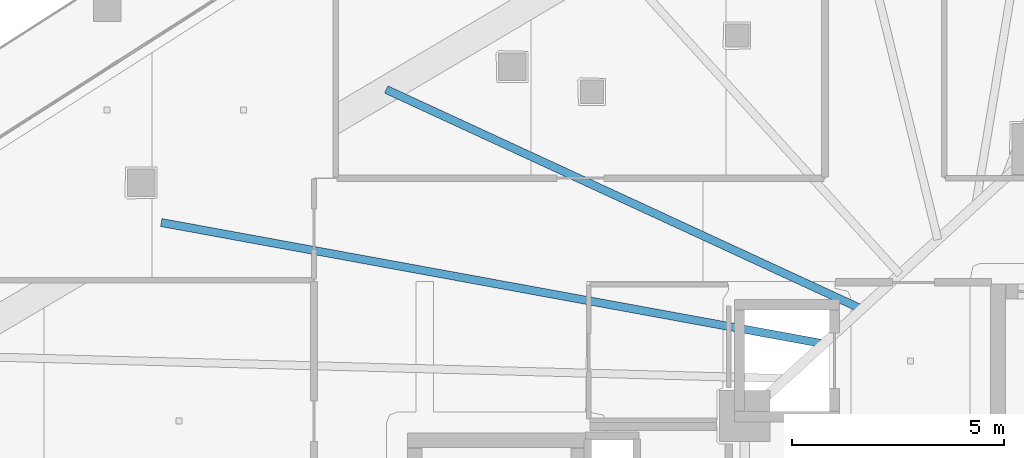
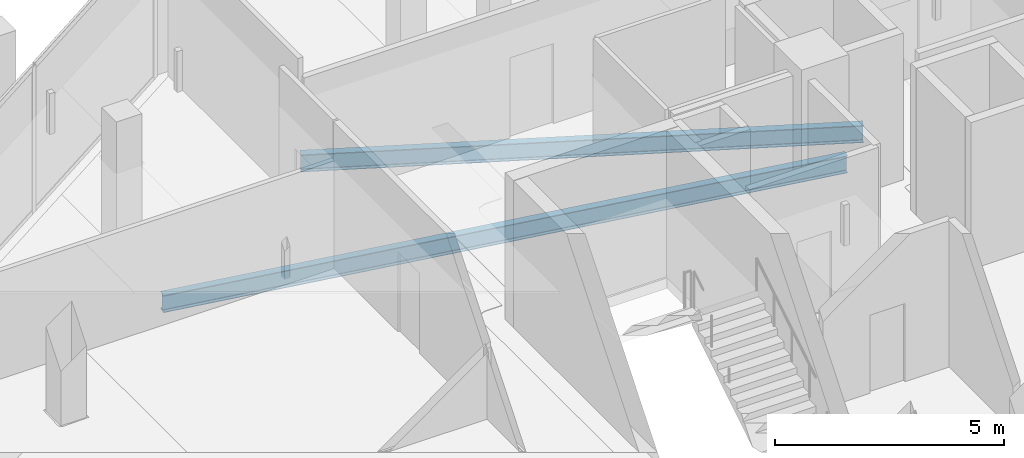
# One storey, part 15 of 44: 2 beams.
"""IFC4 building model written with IfcOpenShell, lengths in metres."""

from ifc_helpers import new_model, si_unit, direction, frame, origin, origin_2d, place, context, subcontext, project, spatial, i_section, extrude, material, material_profile, profile_set, type_object, element, save


model = new_model("IFC4")

# Units and contexts
model_context = context("Model", 3, precision=1e-05, world=origin(), true_north=direction((0.0, 1.0)))
body_context = subcontext(model_context, "Body", "Model", "MODEL_VIEW")
ifc_project = project(units=[si_unit("LENGTHUNIT", "METRE"), si_unit("AREAUNIT", "SQUARE_METRE"), si_unit("VOLUMEUNIT", "CUBIC_METRE"), si_unit("PLANEANGLEUNIT", "RADIAN"), si_unit("MASSUNIT", "GRAM", prefix="KILO")], contexts=[model_context])

# Site, building, storey
site_placement = place(None, origin())
site = spatial("IfcSite", under=ifc_project, at=site_placement, CompositionType="ELEMENT")
building_placement = place(site_placement, origin())
building = spatial("IfcBuilding", under=site, at=building_placement, Name="Qorvath Tower", CompositionType="ELEMENT")
storey_placement = place(building_placement, frame((0.0, 0.0, 57.60009765625)))
storey = spatial("IfcBuildingStorey", under=building, at=storey_placement, Name="L12", CompositionType="ELEMENT", Elevation=57.60009765625)

# Beams
ifc_material = material(Name="Steel ASTM A992 Grade 50", Category="steel")
ifc_material_profile = material_profile(ifc_material, i_section(OverallWidth=0.18994140625, OverallDepth=0.45703125, WebThickness=0.009033203125, FlangeThickness=0.014404296875, FilletRadius=0.011962890625, at=origin_2d()), Name="W18x50")
ifc_profile_set = profile_set([ifc_material_profile], Name="Steel ASTM A992 Grade 50")
beam_type = type_object("IfcBeamType", Name="BM-FJ2", PredefinedType="JOIST", material=ifc_profile_set)
beam_1_placement = place(storey_placement, frame((-28.636962890625, 6.85107421875, -0.508544921875), z_axis=(-0.983656498786, 0.180055248176, 0.0), x_axis=(-0.180055248176, -0.983656498786, 0.0)))
element("IfcBeam", 1, at=beam_1_placement, inside=storey, type_object=beam_type, Name="Composite Floor Joist NW2 L12", PredefinedType="JOIST", context=body_context, shape_type="SweptSolid", body=[
    extrude(i_section(OverallWidth=0.18994140625, OverallDepth=0.45703125, WebThickness=0.009033203125, FlangeThickness=0.014404296875, FilletRadius=0.011962890625, at=origin_2d()), origin(), (0.0, 0.0, 1.0), 15.884521484375),
])
beam_2_placement = place(storey_placement, frame((-27.739990234375, 7.669921875, -0.508544921875), z_axis=(-0.907881281747, 0.419227358665, 0.0), x_axis=(-0.419227358665, -0.907881281747, 0.0)))
element("IfcBeam", 2, at=beam_2_placement, inside=storey, type_object=beam_type, Name="Composite Floor Joist NW3 L12", PredefinedType="JOIST", context=body_context, shape_type="SweptSolid", body=[
    extrude(i_section(OverallWidth=0.18994140625, OverallDepth=0.45703125, WebThickness=0.009033203125, FlangeThickness=0.014404296875, FilletRadius=0.011962890625, at=origin_2d()), origin(), (0.0, 0.0, 1.0), 12.353515625),
])

save(model, "model.ifc")
